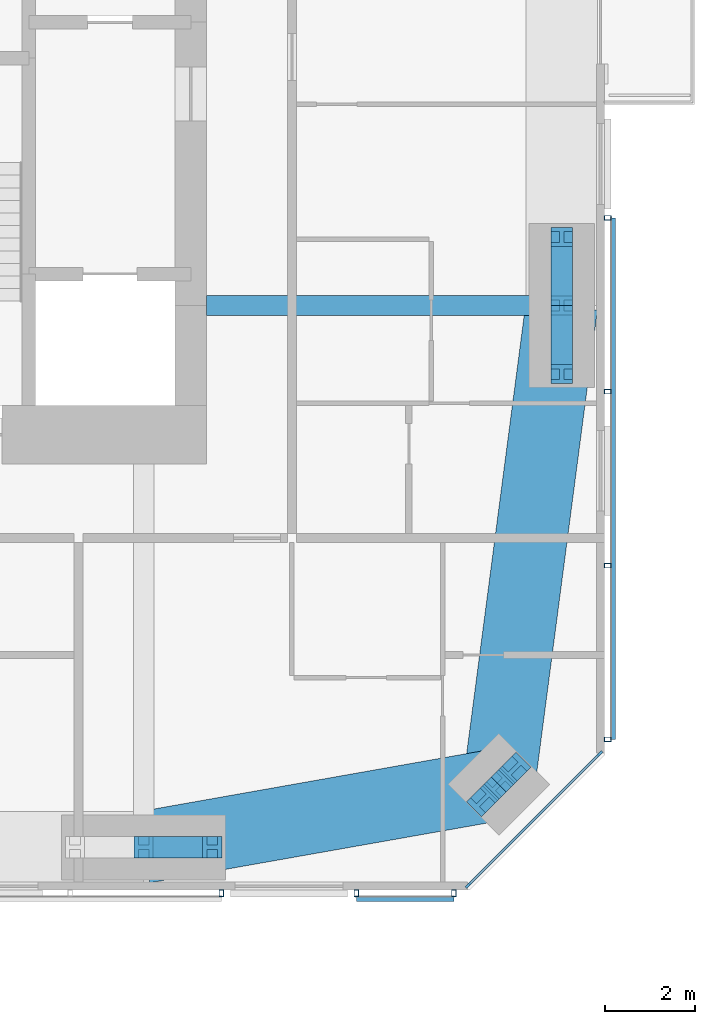
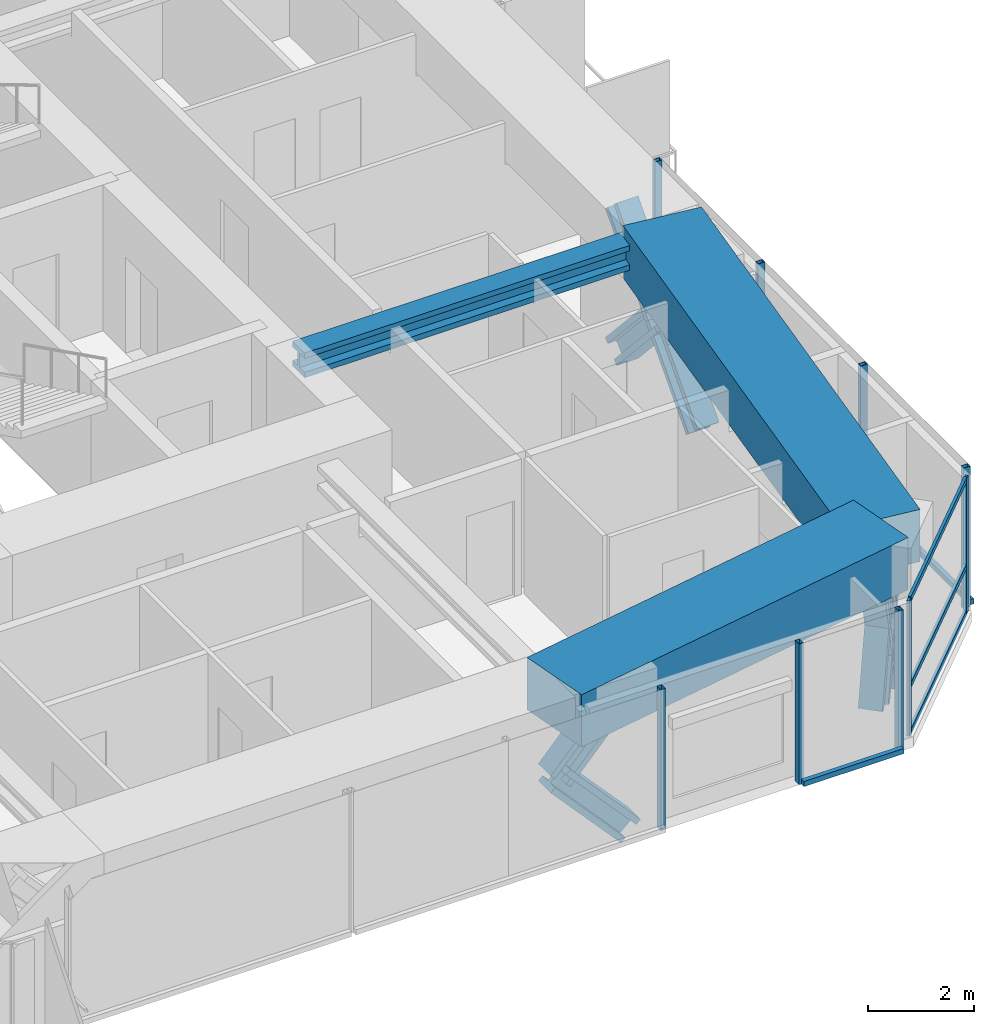
# One storey, part 7 of 23: 24 members, 3 beams, 4 elements without a shape of their own.
"""IFC4 building model written with IfcOpenShell, lengths in metres."""

from ifc_helpers import new_model, si_unit, direction, frame, origin, origin_2d, place, context, subcontext, project, spatial, rectangle, hollow_rectangle, i_section, extrude, material, material_profile, profile_set, type_object, element, aggregate, save


model = new_model("IFC4")

# Units and contexts
model_context = context("Model", 3, precision=1e-05, world=origin(), true_north=direction((0.0, 1.0)))
body_context = subcontext(model_context, "Body", "Model", "MODEL_VIEW")
ifc_project = project(units=[si_unit("LENGTHUNIT", "METRE"), si_unit("AREAUNIT", "SQUARE_METRE"), si_unit("VOLUMEUNIT", "CUBIC_METRE"), si_unit("PLANEANGLEUNIT", "RADIAN"), si_unit("MASSUNIT", "GRAM", prefix="KILO")], contexts=[model_context])

# Site, building, storey
site_placement = place(None, origin())
site = spatial("IfcSite", under=ifc_project, at=site_placement, CompositionType="ELEMENT")
building_placement = place(site_placement, origin())
building = spatial("IfcBuilding", under=site, at=building_placement, Name="Jalousie Tower", CompositionType="ELEMENT")
storey_placement = place(building_placement, frame((0.0, 0.0, 194.550048828125)))
storey = spatial("IfcBuildingStorey", under=building, at=storey_placement, Name="L53", CompositionType="ELEMENT", Elevation=194.550048828125)

# Curtain wall, members
ifc_material_1 = material(Name="Aluminium curtain wall", Category="aluminium")
curtain_wall_type_1 = type_object("IfcCurtainWallType", Name="CORNER WINDOW WALL", PredefinedType="USERDEFINED", material=ifc_material_1)
curtain_wall_1_placement = place(storey_placement, origin())
curtain_wall_1 = element("IfcCurtainWall", 1, at=curtain_wall_1_placement, inside=storey, type_object=curtain_wall_type_1, Name="Corner Window Wall L53 2", ObjectType="CORNER WINDOW WALL", PredefinedType="USERDEFINED")
ifc_material_2 = material(Name="Aluminium mullion", Category="aluminium")
ifc_material_profile_1 = material_profile(ifc_material_2, rectangle(XDim=0.06005859375, YDim=0.14990234375, at=origin_2d()), Name="MULLION 60x150")
ifc_profile_set_1 = profile_set([ifc_material_profile_1], Name="Aluminium mullion")
member_type_1 = type_object("IfcMemberType", Name="CORNER WINDOW WALL MULLION", PredefinedType="MULLION", material=ifc_profile_set_1)
member_1_placement = place(storey_placement, frame((49.969970703125, 0.108642578125, 0.0), z_axis=(0.0, 0.0, 1.0), x_axis=(-0.707106781187, 0.707106781187, 0.0)))
member_1 = element("IfcMember", 2, at=member_1_placement, type_object=member_type_1, Name="CW-C mullion 1", PredefinedType="MULLION", context=body_context, shape_type="SweptSolid", body=[
    extrude(rectangle(XDim=0.06005859375, YDim=0.14990234375, at=origin_2d()), origin(), (0.0, 0.0, 1.0), 3.10986328125),
])
member_2_placement = place(storey_placement, frame((52.891357421875, 3.030029296875, 0.0), z_axis=(0.0, 0.0, 1.0), x_axis=(-0.707106781187, 0.707106781187, 0.0)))
member_2 = element("IfcMember", 3, at=member_2_placement, type_object=member_type_1, Name="CW-C mullion 2", PredefinedType="MULLION", context=body_context, shape_type="SweptSolid", body=[
    extrude(rectangle(XDim=0.06005859375, YDim=0.14990234375, at=origin_2d()), origin(), (0.0, 0.0, 1.0), 3.10986328125),
])
ifc_material_3 = material(Name="Aluminium transom", Category="aluminium")
ifc_material_profile_2 = material_profile(ifc_material_3, rectangle(XDim=0.06005859375, YDim=0.1201171875, at=origin_2d()), Name="TRANSOM 60x120")
ifc_profile_set_2 = profile_set([ifc_material_profile_2], Name="Aluminium transom")
member_type_2 = type_object("IfcMemberType", Name="CORNER WINDOW WALL TRANSOM", PredefinedType="USERDEFINED", material=ifc_profile_set_2)
member_3_placement = place(storey_placement, frame((49.9912109375, 0.1298828125, 0.030029296875), z_axis=(0.707106781187, 0.707106781187, 0.0), x_axis=(-0.707106781187, 0.707106781187, 0.0)))
member_3 = element("IfcMember", 4, at=member_3_placement, type_object=member_type_2, Name="CW-C transom 1.1", ObjectType="TRANSOM", PredefinedType="USERDEFINED", context=body_context, shape_type="SweptSolid", body=[
    extrude(rectangle(XDim=0.06005859375, YDim=0.1201171875, at=origin_2d()), origin(), (0.0, 0.0, 1.0), 4.0712890625),
])
member_4_placement = place(storey_placement, frame((49.9912109375, 0.1298828125, 1.099853515625), z_axis=(0.707106781187, 0.707106781187, 0.0), x_axis=(-0.707106781187, 0.707106781187, 0.0)))
member_4 = element("IfcMember", 5, at=member_4_placement, type_object=member_type_2, Name="CW-C transom 1.2", ObjectType="TRANSOM", PredefinedType="USERDEFINED", context=body_context, shape_type="SweptSolid", body=[
    extrude(rectangle(XDim=0.06005859375, YDim=0.1201171875, at=origin_2d()), origin(), (0.0, 0.0, 1.0), 4.0712890625),
])
member_5_placement = place(storey_placement, frame((49.9912109375, 0.1298828125, 3.079833984375), z_axis=(0.707106781187, 0.707106781187, 0.0), x_axis=(-0.707106781187, 0.707106781187, 0.0)))
member_5 = element("IfcMember", 6, at=member_5_placement, type_object=member_type_2, Name="CW-C transom 1.3", ObjectType="TRANSOM", PredefinedType="USERDEFINED", context=body_context, shape_type="SweptSolid", body=[
    extrude(rectangle(XDim=0.06005859375, YDim=0.1201171875, at=origin_2d()), origin(), (0.0, 0.0, 1.0), 4.0712890625),
])
aggregate(curtain_wall_1, [member_1, member_2, member_3, member_4, member_5])

# Beam
ifc_material_4 = material(Name="Steel ASTM A992 Grade 50", Category="steel")
ifc_material_profile_3 = material_profile(ifc_material_4, i_section(OverallWidth=0.45458984375, OverallDepth=0.569091796875, WebThickness=0.077880859375, FlangeThickness=0.124755859375, at=origin_2d()), Name="W14X730")
ifc_profile_set_3 = profile_set([ifc_material_profile_3], Name="Steel ASTM A992 Grade 50")
beam_type_1 = type_object("IfcBeamType", Name="LEAN COLLECTOR W14X730", PredefinedType="BEAM", material=ifc_profile_set_3)
beam_1_placement = place(storey_placement, frame((52.050048828125, 13.0, 2.825439453125), z_axis=(-1.0, 0.0, 0.0), x_axis=(0.0, -1.0, 0.0)))
element("IfcBeam", 7, at=beam_1_placement, inside=storey, type_object=beam_type_1, Name="Lean collector under L54", PredefinedType="BEAM", context=body_context, shape_type="SweptSolid", body=[
    extrude(i_section(OverallWidth=0.45458984375, OverallDepth=0.569091796875, WebThickness=0.077880859375, FlangeThickness=0.124755859375, at=origin_2d()), origin(), (0.0, 0.0, 1.0), 7.900146484375),
])

# Members
ifc_material_5 = material(Name="Steel ASTM A992 Grade 50", Category="steel")
ifc_material_profile_4 = material_profile(ifc_material_5, i_section(OverallWidth=0.472412109375, OverallDepth=0.5791015625, WebThickness=0.094970703125, FlangeThickness=0.1298828125, at=origin_2d()), Name="W14X808")
ifc_profile_set_4 = profile_set([ifc_material_profile_4], Name="Steel ASTM A992 Grade 50")
member_type_3 = type_object("IfcMemberType", Name="PERIMETER BRACE W14X808", PredefinedType="BRACE", material=ifc_profile_set_4)
for number, where, z_axis, x_axis, name in (
    (8, (42.75, 0.949951171875, 1.074951171875), (0.673187629365, 0.0, 0.739471713908), (0.0, 1.0, 0.0), "Perimeter brace 04 L53 part 2"),
    (9, (44.27490234375, 0.949951171875, -0.60009765625), (-0.673187629365, 0.0, 0.739471713908), (0.0, -1.0, 0.0), "Perimeter brace 04 L53 part 3"),
):
    element("IfcMember", number, at=place(storey_placement, frame(where, z_axis=z_axis, x_axis=x_axis)), inside=storey, type_object=member_type_3, Name=name, PredefinedType="BRACE", context=body_context, shape_type="SweptSolid", body=[
        extrude(i_section(OverallWidth=0.472412109375, OverallDepth=0.5791015625, WebThickness=0.094970703125, FlangeThickness=0.1298828125, at=origin_2d()), origin(), (0.0, 0.0, 1.0), 2.26513671875),
    ])
for number, where, z_axis, x_axis, name in (
    (10, (50.2978515625, 1.9951171875, -0.60009765625), (0.202372069365, 0.202092742837, 0.958229653493), (-0.706618279267, 0.707594945859, 0.0), "Perimeter brace 05 L53 part 1"),
    (11, (50.651611328125, 2.348388671875, 1.074951171875), (0.202092742837, 0.202372069365, 0.958229653493), (-0.707594945859, 0.706618279267, 0.0), "Perimeter brace 05 L53 part 2"),
    (12, (51.0048828125, 2.7021484375, -0.60009765625), (-0.202092742837, -0.202372069365, 0.958229653493), (0.707594945859, -0.706618279267, 0.0), "Perimeter brace 05 L53 part 3"),
    (13, (50.651611328125, 2.348388671875, 1.074951171875), (-0.202372069365, -0.202092742837, 0.958229653493), (0.706618279267, -0.707594945859, 0.0), "Perimeter brace 05 L53 part 4"),
):
    element("IfcMember", number, at=place(storey_placement, frame(where, z_axis=z_axis, x_axis=x_axis)), inside=storey, type_object=member_type_3, Name=name, PredefinedType="BRACE", context=body_context, shape_type="SweptSolid", body=[
        extrude(i_section(OverallWidth=0.472412109375, OverallDepth=0.5791015625, WebThickness=0.094970703125, FlangeThickness=0.1298828125, at=origin_2d()), origin(), (0.0, 0.0, 1.0), 1.748046875),
    ])
for number, where, z_axis, x_axis, name in (
    (14, (52.050048828125, 11.47509765625, -0.60009765625), (0.0, 0.673187629365, 0.739471713908), (-1.0, 0.0, 0.0), "Perimeter brace 06 L53 part 1"),
    (15, (52.050048828125, 13.0, 1.074951171875), (0.0, 0.673187629365, 0.739471713908), (-1.0, 0.0, 0.0), "Perimeter brace 06 L53 part 2"),
    (16, (52.050048828125, 14.52490234375, -0.60009765625), (0.0, -0.673187629365, 0.739471713908), (1.0, 0.0, 0.0), "Perimeter brace 06 L53 part 3"),
    (17, (52.050048828125, 13.0, 1.074951171875), (0.0, -0.673187629365, 0.739471713908), (1.0, 0.0, 0.0), "Perimeter brace 06 L53 part 4"),
):
    element("IfcMember", number, at=place(storey_placement, frame(where, z_axis=z_axis, x_axis=x_axis)), inside=storey, type_object=member_type_3, Name=name, PredefinedType="BRACE", context=body_context, shape_type="SweptSolid", body=[
        extrude(i_section(OverallWidth=0.472412109375, OverallDepth=0.5791015625, WebThickness=0.094970703125, FlangeThickness=0.1298828125, at=origin_2d()), origin(), (0.0, 0.0, 1.0), 2.26513671875),
    ])

# Beams
ifc_material_6 = material(Name="Concrete f'c 40 MPa", Category="concrete")
ifc_material_profile_5 = material_profile(ifc_material_6, rectangle(XDim=1.60009765625, YDim=1.199951171875, at=origin_2d()), Name="RC 1600x1200")
ifc_profile_set_5 = profile_set([ifc_material_profile_5], Name="Concrete f'c 40 MPa")
beam_type_2 = type_object("IfcBeamType", Name="RC BEAM 1600x1200", PredefinedType="BEAM", material=ifc_profile_set_5)
beam_2_placement = place(storey_placement, frame((42.75, 0.949951171875, 2.75), z_axis=(0.984697370688, 0.174273027632, 0.0), x_axis=(-0.174273027632, 0.984697370688, 0.0)))
element("IfcBeam", 18, at=beam_2_placement, inside=storey, type_object=beam_type_2, Name="Edge band beam 04-05 under L54", PredefinedType="BEAM", context=body_context, shape_type="SweptSolid", body=[
    extrude(rectangle(XDim=1.60009765625, YDim=1.199951171875, at=origin_2d()), origin(), (0.0, 0.0, 1.0), 8.0244140625),
])
beam_3_placement = place(storey_placement, frame((50.651611328125, 2.348388671875, 2.75), z_axis=(0.130171745558, 0.991491460709, 0.0), x_axis=(-0.991491460709, 0.130171745558, 0.0)))
element("IfcBeam", 19, at=beam_3_placement, inside=storey, type_object=beam_type_2, Name="Edge band beam 05-06 under L54", PredefinedType="BEAM", context=body_context, shape_type="SweptSolid", body=[
    extrude(rectangle(XDim=1.60009765625, YDim=1.199951171875, at=origin_2d()), origin(), (0.0, 0.0, 1.0), 10.742919921875),
])

# Curtain wall, member
ifc_material_7 = material(Name="Perforated aluminium sheet", Category="aluminium")
curtain_wall_type_2 = type_object("IfcCurtainWallType", Name="SOLAR SCREEN SS-1", PredefinedType="USERDEFINED", material=ifc_material_7)
curtain_wall_2_placement = place(storey_placement, origin())
curtain_wall_2 = element("IfcCurtainWall", 20, at=curtain_wall_2_placement, inside=storey, type_object=curtain_wall_type_2, Name="Solar screen L53", ObjectType="SOLAR SCREEN SS-1", PredefinedType="USERDEFINED")
ifc_material_8 = material(Name="Steel ASTM A500 Grade C", Category="steel")
ifc_material_profile_6 = material_profile(ifc_material_8, hollow_rectangle(XDim=0.1015625, YDim=0.15234375, WallThickness=0.00634765625, at=origin_2d()), Name="HSS6X4X1/4")
ifc_profile_set_6 = profile_set([ifc_material_profile_6], Name="Steel ASTM A500 Grade C")
member_type_4 = type_object("IfcMemberType", Name="SOLAR SCREEN SS-1 MULLION", PredefinedType="MULLION", material=ifc_profile_set_6)
member_6_placement = place(storey_placement, frame((44.481201171875, -0.0712890625, -0.1201171875), z_axis=(0.0, 0.0, 1.0), x_axis=(1.0, 0.0, 0.0)))
member_6 = element("IfcMember", 21, at=member_6_placement, type_object=member_type_4, Name="SS1 post 3", PredefinedType="MULLION", context=body_context, shape_type="SweptSolid", body=[
    extrude(hollow_rectangle(XDim=0.1015625, YDim=0.15234375, WallThickness=0.00634765625, at=origin_2d()), origin(), (0.0, 0.0, 1.0), 3.22998046875),
])
aggregate(curtain_wall_2, [member_6])

# Curtain wall, members
curtain_wall_3_placement = place(storey_placement, origin())
curtain_wall_3 = element("IfcCurtainWall", 22, at=curtain_wall_3_placement, inside=storey, type_object=curtain_wall_type_2, Name="Solar screen L53", ObjectType="SOLAR SCREEN SS-1", PredefinedType="USERDEFINED")
member_7_placement = place(storey_placement, frame((47.481201171875, -0.0712890625, -0.1201171875), z_axis=(0.0, 0.0, 1.0), x_axis=(1.0, 0.0, 0.0)))
member_7 = element("IfcMember", 23, at=member_7_placement, type_object=member_type_4, Name="SS1 post 1", PredefinedType="MULLION", context=body_context, shape_type="SweptSolid", body=[
    extrude(hollow_rectangle(XDim=0.1015625, YDim=0.15234375, WallThickness=0.00634765625, at=origin_2d()), origin(), (0.0, 0.0, 1.0), 3.22998046875),
])
member_8_placement = place(storey_placement, frame((49.648681640625, -0.0712890625, -0.1201171875), z_axis=(0.0, 0.0, 1.0), x_axis=(1.0, 0.0, 0.0)))
member_8 = element("IfcMember", 24, at=member_8_placement, type_object=member_type_4, Name="SS1 post 2", PredefinedType="MULLION", context=body_context, shape_type="SweptSolid", body=[
    extrude(hollow_rectangle(XDim=0.1015625, YDim=0.15234375, WallThickness=0.00634765625, at=origin_2d()), origin(), (0.0, 0.0, 1.0), 3.22998046875),
])

curtain_wall_4_placement = place(storey_placement, origin())
curtain_wall_4 = element("IfcCurtainWall", 25, at=curtain_wall_4_placement, inside=storey, type_object=curtain_wall_type_2, Name="Solar screen L53", ObjectType="SOLAR SCREEN SS-1", PredefinedType="USERDEFINED")
member_9_placement = place(storey_placement, frame((53.0712890625, 3.351318359375, -0.1201171875), z_axis=(0.0, 0.0, 1.0), x_axis=(0.0, 1.0, 0.0)))
member_9 = element("IfcMember", 26, at=member_9_placement, type_object=member_type_4, Name="SS1 post 1", PredefinedType="MULLION", context=body_context, shape_type="SweptSolid", body=[
    extrude(hollow_rectangle(XDim=0.1015625, YDim=0.15234375, WallThickness=0.00634765625, at=origin_2d()), origin(), (0.0, 0.0, 1.0), 3.22998046875),
])
member_10_placement = place(storey_placement, frame((53.0712890625, 7.217529296875, -0.1201171875), z_axis=(0.0, 0.0, 1.0), x_axis=(0.0, 1.0, 0.0)))
member_10 = element("IfcMember", 27, at=member_10_placement, type_object=member_type_4, Name="SS1 post 2", PredefinedType="MULLION", context=body_context, shape_type="SweptSolid", body=[
    extrude(hollow_rectangle(XDim=0.1015625, YDim=0.15234375, WallThickness=0.00634765625, at=origin_2d()), origin(), (0.0, 0.0, 1.0), 3.22998046875),
])
member_11_placement = place(storey_placement, frame((53.0712890625, 11.083740234375, -0.1201171875), z_axis=(0.0, 0.0, 1.0), x_axis=(0.0, 1.0, 0.0)))
member_11 = element("IfcMember", 28, at=member_11_placement, type_object=member_type_4, Name="SS1 post 3", PredefinedType="MULLION", context=body_context, shape_type="SweptSolid", body=[
    extrude(hollow_rectangle(XDim=0.1015625, YDim=0.15234375, WallThickness=0.00634765625, at=origin_2d()), origin(), (0.0, 0.0, 1.0), 3.22998046875),
])
member_12_placement = place(storey_placement, frame((53.0712890625, 14.949951171875, -0.1201171875), z_axis=(0.0, 0.0, 1.0), x_axis=(0.0, 1.0, 0.0)))
member_12 = element("IfcMember", 29, at=member_12_placement, type_object=member_type_4, Name="SS1 post 4", PredefinedType="MULLION", context=body_context, shape_type="SweptSolid", body=[
    extrude(hollow_rectangle(XDim=0.1015625, YDim=0.15234375, WallThickness=0.00634765625, at=origin_2d()), origin(), (0.0, 0.0, 1.0), 3.22998046875),
])

# Member
ifc_material_9 = material(Name="Extruded aluminium screen rail", Category="aluminium")
ifc_material_profile_7 = material_profile(ifc_material_9, rectangle(XDim=0.1015625, YDim=0.1201171875, at=origin_2d()), Name="RAIL 102x120")
ifc_profile_set_7 = profile_set([ifc_material_profile_7], Name="Extruded aluminium screen rail")
member_type_5 = type_object("IfcMemberType", Name="SOLAR SCREEN SS-1 TRANSOM", PredefinedType="USERDEFINED", material=ifc_profile_set_7)
member_13_placement = place(storey_placement, frame((47.481201171875, -0.1982421875, -0.06005859375), z_axis=(1.0, 0.0, 0.0), x_axis=(0.0, 1.0, 0.0)))
member_13 = element("IfcMember", 30, at=member_13_placement, type_object=member_type_5, Name="SS1 rail", ObjectType="TRANSOM", PredefinedType="USERDEFINED", context=body_context, shape_type="SweptSolid", body=[
    extrude(rectangle(XDim=0.1015625, YDim=0.1201171875, at=origin_2d()), origin(), (0.0, 0.0, 1.0), 2.16748046875),
])

aggregate(curtain_wall_3, [member_7, member_8, member_13])

member_14_placement = place(storey_placement, frame((53.1982421875, 3.351318359375, -0.06005859375), z_axis=(0.0, 1.0, 0.0), x_axis=(-1.0, 0.0, 0.0)))
member_14 = element("IfcMember", 31, at=member_14_placement, type_object=member_type_5, Name="SS1 rail", ObjectType="TRANSOM", PredefinedType="USERDEFINED", context=body_context, shape_type="SweptSolid", body=[
    extrude(rectangle(XDim=0.1015625, YDim=0.1201171875, at=origin_2d()), origin(), (0.0, 0.0, 1.0), 11.5986328125),
])

aggregate(curtain_wall_4, [member_9, member_10, member_11, member_12, member_14])

save(model, "model.ifc")
